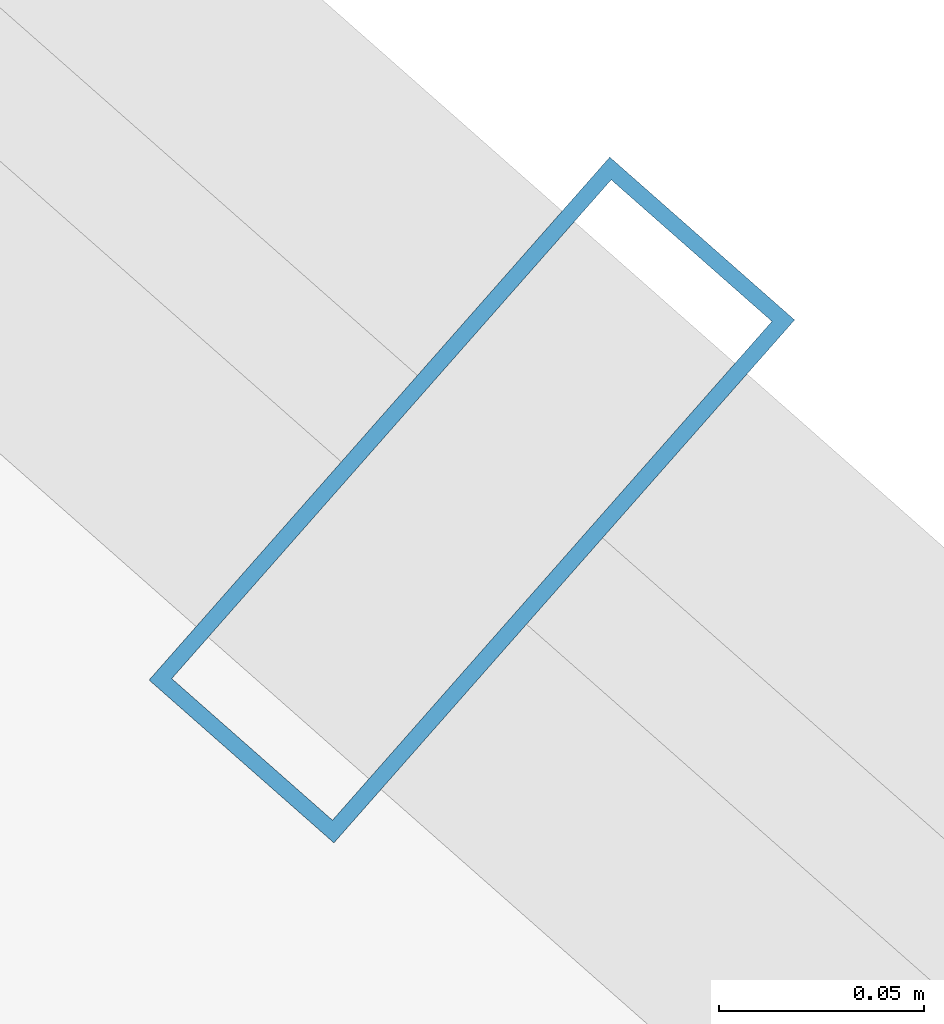
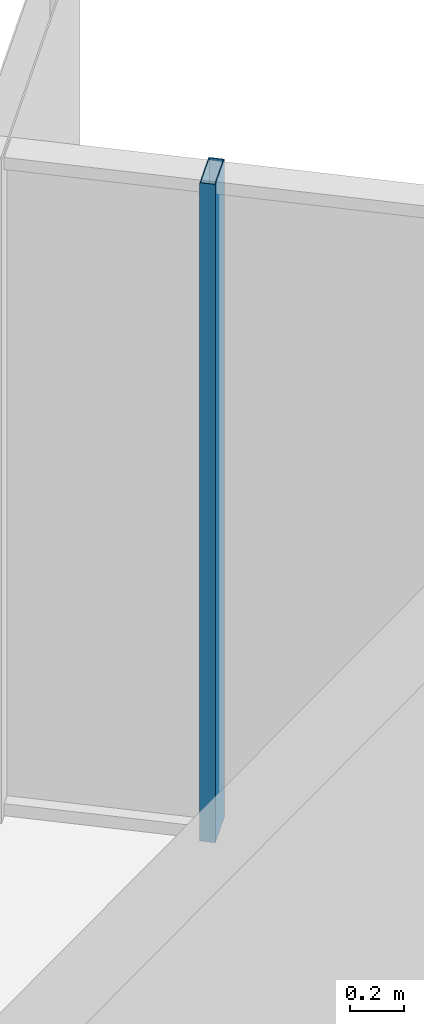
# One storey, part 26 of 32: 1 member, 1 element without a shape of its own.
"""IFC4 building model written with IfcOpenShell, lengths in metres."""

from ifc_helpers import new_model, si_unit, direction, frame, origin, origin_2d, place, context, subcontext, project, spatial, hollow_rectangle, extrude, source, transform, mapped, material, layer, layer_set, material_profile, profile_set, type_object, element, aggregate, save


model = new_model("IFC4")

# Units and contexts
model_context = context("Model", 3, precision=1e-05, world=origin(), true_north=direction((0.0, 1.0)))
body_context = subcontext(model_context, "Body", "Model", "MODEL_VIEW")
ifc_project = project(units=[si_unit("LENGTHUNIT", "METRE"), si_unit("AREAUNIT", "SQUARE_METRE"), si_unit("VOLUMEUNIT", "CUBIC_METRE"), si_unit("PLANEANGLEUNIT", "RADIAN"), si_unit("MASSUNIT", "GRAM", prefix="KILO")], contexts=[model_context])

# Site, building, storey
site_placement = place(None, origin())
site = spatial("IfcSite", under=ifc_project, at=site_placement, CompositionType="ELEMENT")
building_placement = place(site_placement, origin())
building = spatial("IfcBuilding", under=site, at=building_placement, Name="Veraguas Prism Commons", CompositionType="ELEMENT")
storey_placement = place(building_placement, frame((0.0, 0.0, 89.449951171875)))
storey = spatial("IfcBuildingStorey", under=building, at=storey_placement, Name="L24", CompositionType="ELEMENT", Elevation=89.449951171875)

# Curtain wall, member
ifc_material = material(Name="Anodised aluminium EN AW-6063 T6", Category="aluminium")
ifc_layer = layer(ifc_material, 0.169921875, Name="Unitised Flush Curtain Wall Zone 2", Category="aluminium")
ifc_layer_set = layer_set([ifc_layer], Name="Anodised aluminium EN AW-6063 T6")
curtain_wall_type = type_object("IfcCurtainWallType", Name="Unitised Flush Curtain Wall Zone 2", PredefinedType="NOTDEFINED", material=ifc_layer_set)
curtain_wall_placement = place(storey_placement, origin())
curtain_wall = element("IfcCurtainWall", 1, at=curtain_wall_placement, inside=storey, type_object=curtain_wall_type, Name="Tower Facade Curtain Wall L24-F1", PredefinedType="NOTDEFINED")
ifc_material_profile = material_profile(ifc_material, hollow_rectangle(XDim=0.06005859375, YDim=0.169921875, WallThickness=0.00390625, at=origin_2d()), Name="AL60X170X4")
ifc_profile_set = profile_set([ifc_material_profile], Name="Anodised aluminium EN AW-6063 T6")
member_type = type_object("IfcMemberType", Name="Curtain Wall Mullion Lower AL 60x170x4", PredefinedType="MULLION", material=ifc_profile_set)
shared_shape = source(origin(), body_context, "Body", "SweptSolid", [
    extrude(hollow_rectangle(XDim=0.06005859375, YDim=0.169921875, WallThickness=0.00390625, at=origin_2d()), origin(), (0.0, 0.0, 1.0), 3.0),
])
member_placement = place(storey_placement, frame((39.91357421875, 35.545166015625, 0.0), z_axis=(0.0, 0.0, 1.0), x_axis=(-0.750341865315, 0.661049986881, 0.0)))
member = element("IfcMember", 2, at=member_placement, type_object=member_type, Name="CW-Z2 Mullion 2", PredefinedType="MULLION", context=body_context, shape_type="MappedRepresentation", body=[
    mapped(shared_shape, transform((0.0, 0.0, 0.0), scale=1.0)),
])
aggregate(curtain_wall, [member])

save(model, "model.ifc")
